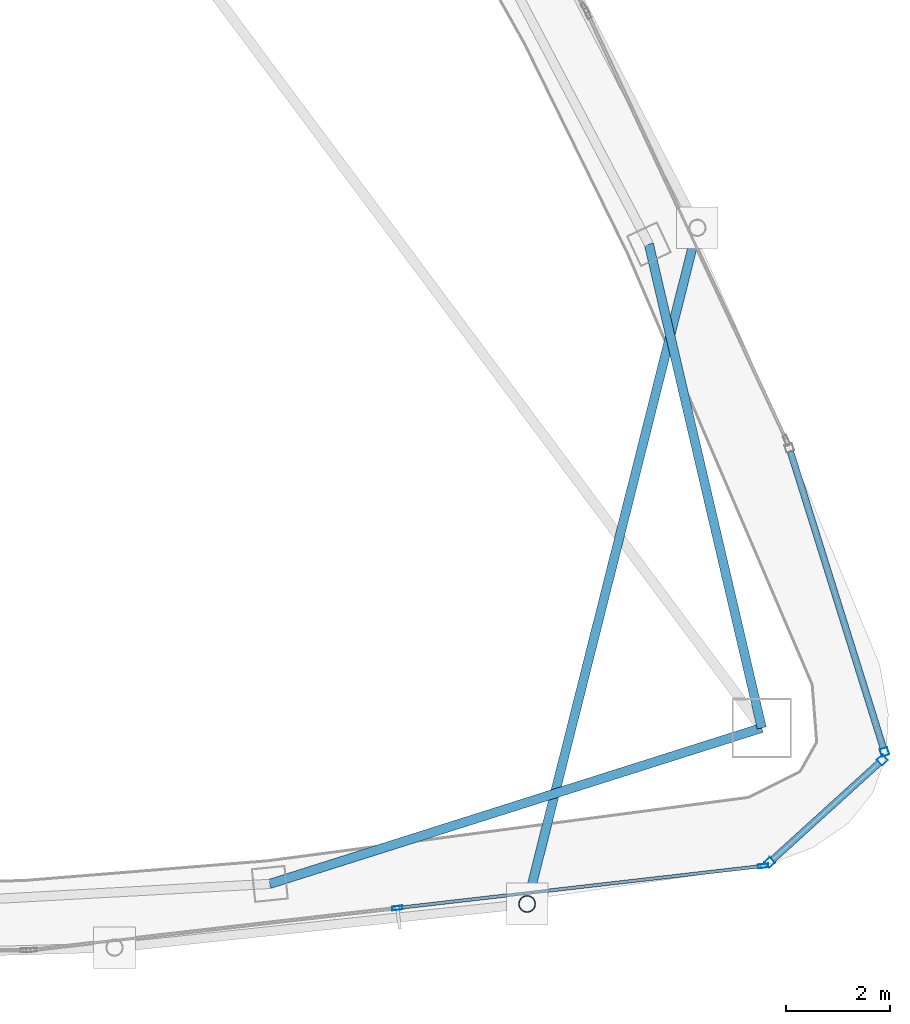
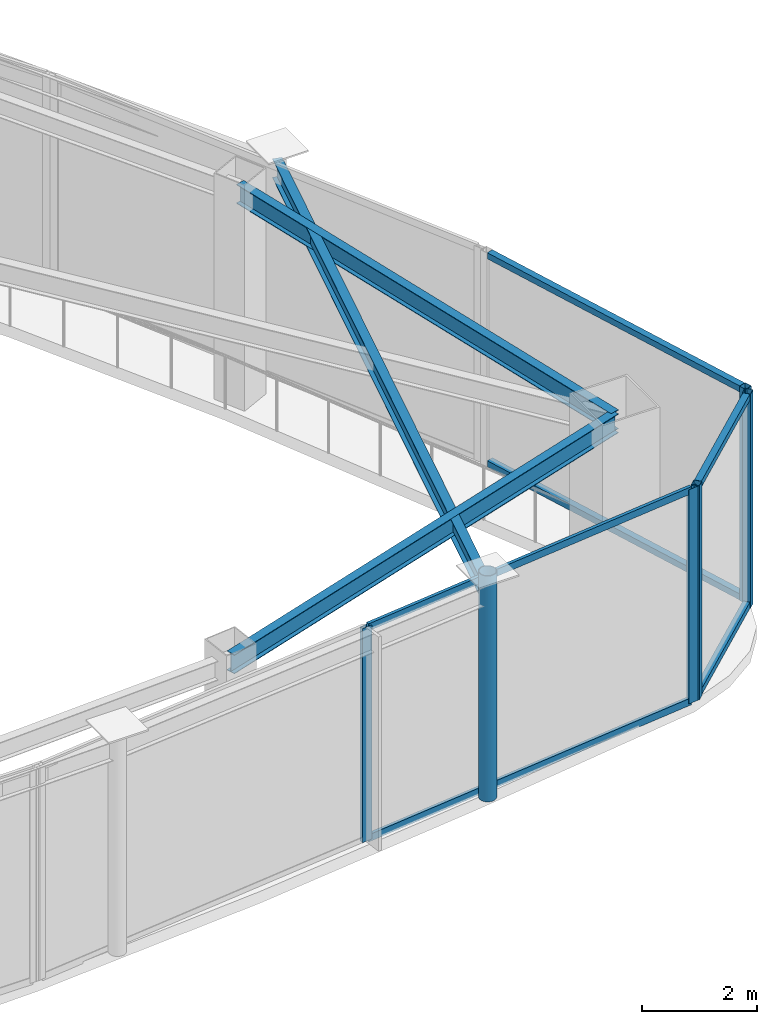
# One storey, part 11 of 19: 12 members, 3 beams, 3 elements without a shape of their own.
"""IFC4 building model written with IfcOpenShell, lengths in metres."""

from ifc_helpers import new_model, si_unit, direction, frame, origin, origin_2d, place, context, subcontext, project, spatial, hollow_rectangle, hollow_circle, i_section, extrude, material, layer, layer_set, material_profile, profile_set, type_object, element, aggregate, save


model = new_model("IFC4")

# Units and contexts
model_context = context("Model", 3, precision=1e-05, world=origin(), true_north=direction((0.0, 1.0)))
body_context = subcontext(model_context, "Body", "Model", "MODEL_VIEW")
ifc_project = project(units=[si_unit("LENGTHUNIT", "METRE"), si_unit("AREAUNIT", "SQUARE_METRE"), si_unit("VOLUMEUNIT", "CUBIC_METRE"), si_unit("PLANEANGLEUNIT", "RADIAN"), si_unit("MASSUNIT", "GRAM", prefix="KILO")], contexts=[model_context])

# Site, building, storey
site_placement = place(None, origin())
site = spatial("IfcSite", under=ifc_project, at=site_placement, CompositionType="ELEMENT")
building_placement = place(site_placement, origin())
building = spatial("IfcBuilding", under=site, at=building_placement, Name="Orvanel Arch Residences", CompositionType="ELEMENT")
storey_placement = place(building_placement, frame((0.0, 0.0, 290.89990234375)))
storey = spatial("IfcBuildingStorey", under=building, at=storey_placement, Name="L82", CompositionType="ELEMENT", Elevation=290.89990234375)

# Curtain wall, members
ifc_material_1 = material(Name="Bronze-anodised aluminium AA6063-T6", Category="aluminium")
ifc_layer = layer(ifc_material_1, 0.2099609375)
ifc_layer_set = layer_set([ifc_layer], Name="Bronze-anodised aluminium AA6063-T6")
curtain_wall_type = type_object("IfcCurtainWallType", Name="CW7-TOP-SYS", PredefinedType="NOTDEFINED", material=ifc_layer_set)
curtain_wall_1_placement = place(storey_placement, origin())
curtain_wall_1 = element("IfcCurtainWall", 1, at=curtain_wall_1_placement, inside=storey, type_object=curtain_wall_type, Name="L82 CW7-TOP-SYS Unitised Curtain Wall", PredefinedType="NOTDEFINED")
ifc_material_profile_1 = material_profile(ifc_material_1, hollow_rectangle(XDim=0.14990234375, YDim=0.14990234375, WallThickness=0.0048828125, at=origin_2d()), Name="ALU150x150x5")
ifc_profile_set_1 = profile_set([ifc_material_profile_1], Name="Bronze-anodised aluminium AA6063-T6")
member_type_1 = type_object("IfcMemberType", Name="MUL-150x150", PredefinedType="MULLION", material=ifc_profile_set_1)
member_1_placement = place(storey_placement, frame((51.95361328125, 7.76953125, 0.0), z_axis=(0.0, 0.0, 1.0), x_axis=(-0.672462257522, 0.740131415499, 0.0)))
member_1 = element("IfcMember", 2, at=member_1_placement, type_object=member_type_1, Name="CW-S7 mullion 1", PredefinedType="MULLION", context=body_context, shape_type="SweptSolid", body=[
    extrude(hollow_rectangle(XDim=0.14990234375, YDim=0.14990234375, WallThickness=0.0048828125, at=origin_2d()), origin(), (0.0, 0.0, 1.0), 4.550048828125),
])
member_2_placement = place(storey_placement, frame((54.117431640625, 9.735595703125, 0.0), z_axis=(0.0, 0.0, 1.0), x_axis=(-0.672462257522, 0.740131415499, 0.0)))
member_2 = element("IfcMember", 3, at=member_2_placement, type_object=member_type_1, Name="CW-S7 mullion 2", PredefinedType="MULLION", context=body_context, shape_type="SweptSolid", body=[
    extrude(hollow_rectangle(XDim=0.14990234375, YDim=0.14990234375, WallThickness=0.0048828125, at=origin_2d()), origin(), (0.0, 0.0, 1.0), 4.550048828125),
])

# Curtain wall, member
curtain_wall_2_placement = place(storey_placement, origin())
curtain_wall_2 = element("IfcCurtainWall", 4, at=curtain_wall_2_placement, inside=storey, type_object=curtain_wall_type, Name="L82 CW7-TOP-SYS Unitised Curtain Wall", PredefinedType="NOTDEFINED")
member_3_placement = place(storey_placement, frame((54.15966796875, 9.8896484375, 0.0), z_axis=(0.0, 0.0, 1.0), x_axis=(-0.954283945864, -0.298901573542, 0.0)))
member_3 = element("IfcMember", 5, at=member_3_placement, type_object=member_type_1, Name="CW-S7 mullion 1", PredefinedType="MULLION", context=body_context, shape_type="SweptSolid", body=[
    extrude(hollow_rectangle(XDim=0.14990234375, YDim=0.14990234375, WallThickness=0.0048828125, at=origin_2d()), origin(), (0.0, 0.0, 1.0), 4.550048828125),
])

# Curtain wall, members
curtain_wall_3_placement = place(storey_placement, origin())
curtain_wall_3 = element("IfcCurtainWall", 6, at=curtain_wall_3_placement, inside=storey, type_object=curtain_wall_type, Name="L82 CW7-TOP-SYS Unitised Curtain Wall", PredefinedType="NOTDEFINED")
ifc_material_profile_2 = material_profile(ifc_material_1, hollow_rectangle(XDim=0.074951171875, YDim=0.199951171875, WallThickness=0.0048828125, at=origin_2d()), Name="ALU200x75x5")
ifc_profile_set_2 = profile_set([ifc_material_profile_2], Name="Bronze-anodised aluminium AA6063-T6")
member_type_2 = type_object("IfcMemberType", Name="MUL-200x75", PredefinedType="MULLION", material=ifc_profile_set_2)
member_4_placement = place(storey_placement, frame((44.802001953125, 6.89208984375, 0.0), z_axis=(0.0, 0.0, 1.0), x_axis=(-0.11424494002, 0.9934526127, 0.0)))
member_4 = element("IfcMember", 7, at=member_4_placement, type_object=member_type_2, Name="CW-S7 mullion 2", PredefinedType="MULLION", context=body_context, shape_type="SweptSolid", body=[
    extrude(hollow_rectangle(XDim=0.074951171875, YDim=0.199951171875, WallThickness=0.0048828125, at=origin_2d()), origin(), (0.0, 0.0, 1.0), 4.550048828125),
])
member_5_placement = place(storey_placement, frame((51.82568359375, 7.69970703125, 0.0), z_axis=(0.0, 0.0, 1.0), x_axis=(-0.11424494002, 0.9934526127, 0.0)))
member_5 = element("IfcMember", 8, at=member_5_placement, type_object=member_type_2, Name="CW-S7 mullion 3", PredefinedType="MULLION", context=body_context, shape_type="SweptSolid", body=[
    extrude(hollow_rectangle(XDim=0.074951171875, YDim=0.199951171875, WallThickness=0.0048828125, at=origin_2d()), origin(), (0.0, 0.0, 1.0), 4.550048828125),
])

# Beams
ifc_material_2 = material(Name="Structural steel AS/NZS 3679.1 Grade 300 (300 MPa)", Category="steel")
ifc_material_profile_3 = material_profile(ifc_material_2, i_section(OverallWidth=0.177978515625, OverallDepth=0.406005859375, WebThickness=0.0078125, FlangeThickness=0.0126953125, at=origin_2d()), Name="410UB59.7")
ifc_profile_set_3 = profile_set([ifc_material_profile_3], Name="Structural steel AS/NZS 3679.1 Grade 300 (300 MPa)")
beam_type_1 = type_object("IfcBeamType", Name="OB-410UB", PredefinedType="SPANDREL", material=ifc_profile_set_3)
beam_1_placement = place(storey_placement, frame((42.35107421875, 7.35498046875, 4.34716796875), z_axis=(0.953237386592, 0.302222574941, 0.0), x_axis=(-0.302222574941, 0.953237386592, 0.0)))
element("IfcBeam", 9, at=beam_1_placement, inside=storey, type_object=beam_type_1, Name="L82 Perimeter Spandrel Beam 05", PredefinedType="SPANDREL", context=body_context, shape_type="SweptSolid", body=[
    extrude(i_section(OverallWidth=0.177978515625, OverallDepth=0.406005859375, WebThickness=0.0078125, FlangeThickness=0.0126953125, at=origin_2d()), origin(), (0.0, 0.0, 1.0), 9.91357421875),
])
beam_2_placement = place(storey_placement, frame((51.801025390625, 10.35107421875, 4.34716796875), z_axis=(-0.227236087167, 0.973839699688, 0.0), x_axis=(-0.973839699688, -0.227236087167, 0.0)))
element("IfcBeam", 10, at=beam_2_placement, inside=storey, type_object=beam_type_1, Name="L82 Perimeter Spandrel Beam 06", PredefinedType="SPANDREL", context=body_context, shape_type="SweptSolid", body=[
    extrude(i_section(OverallWidth=0.177978515625, OverallDepth=0.406005859375, WebThickness=0.0078125, FlangeThickness=0.0126953125, at=origin_2d()), origin(), (0.0, 0.0, 1.0), 9.54052734375),
])
ifc_material_profile_4 = material_profile(ifc_material_2, i_section(OverallWidth=0.177978515625, OverallDepth=0.406005859375, WebThickness=0.0078125, FlangeThickness=0.0126953125, at=origin_2d()), Name="410UB59.7")
ifc_profile_set_4 = profile_set([ifc_material_profile_4], Name="Structural steel AS/NZS 3679.1 Grade 300 (300 MPa)")
beam_type_2 = type_object("IfcBeamType", Name="OB-410UB-EXT", PredefinedType="SPANDREL", material=ifc_profile_set_4)
beam_3_placement = place(storey_placement, frame((47.29296875, 6.969970703125, 4.34716796875), z_axis=(0.244220827224, 0.969719643789, 0.0), x_axis=(-0.969719643789, 0.244220827224, 0.0)))
element("IfcBeam", 11, at=beam_3_placement, inside=storey, type_object=beam_type_2, Name="L82 Outer Perimeter Floor Ring Beam 08", PredefinedType="SPANDREL", context=body_context, shape_type="SweptSolid", body=[
    extrude(i_section(OverallWidth=0.177978515625, OverallDepth=0.406005859375, WebThickness=0.0078125, FlangeThickness=0.0126953125, at=origin_2d()), origin(), (0.0, 0.0, 1.0), 13.3935546875),
])

# Member
ifc_material_3 = material(Name="Structural steel AS/NZS 1163 C350L0 (Grade 350)", Category="steel")
ifc_material_profile_5 = material_profile(ifc_material_3, hollow_circle(Radius=0.162109375, WallThickness=0.0126953125, at=origin_2d()), Name="CHS324x12.7")
ifc_profile_set_5 = profile_set([ifc_material_profile_5], Name="Structural steel AS/NZS 1163 C350L0 (Grade 350)")
member_type_3 = type_object("IfcMemberType", Name="ST-324CHS-EXT", PredefinedType="STRUT", material=ifc_profile_set_5)
member_6_placement = place(storey_placement, frame((47.29296875, 6.969970703125, 0.0), z_axis=(0.0, 0.0, 1.0), x_axis=(1.0, 0.0, 0.0)))
element("IfcMember", 12, at=member_6_placement, inside=storey, type_object=member_type_3, Name="L82 Outer Perimeter Frame Post 08", PredefinedType="STRUT", context=body_context, shape_type="SweptSolid", body=[
    extrude(hollow_circle(Radius=0.162109375, WallThickness=0.0126953125, at=origin_2d()), origin(), (0.0, 0.0, 1.0), 4.800048828125),
])

ifc_material_profile_6 = material_profile(ifc_material_1, hollow_rectangle(XDim=0.1298828125, YDim=0.1298828125, WallThickness=0.00439453125, at=origin_2d()), Name="ALU130x130x4.5")
ifc_profile_set_6 = profile_set([ifc_material_profile_6], Name="Bronze-anodised aluminium AA6063-T6")
member_type_4 = type_object("IfcMemberType", Name="TRN-130x130", PredefinedType="USERDEFINED", material=ifc_profile_set_6)
member_7_placement = place(storey_placement, frame((52.009033203125, 7.81982421875, 0.065185546875), z_axis=(0.740139175593, 0.672453716439, 0.0), x_axis=(-0.672453716439, 0.740139175593, 0.0)))
member_7 = element("IfcMember", 13, at=member_7_placement, type_object=member_type_4, Name="CW-S7 transom 1.1", ObjectType="TRANSOM", PredefinedType="USERDEFINED", context=body_context, shape_type="SweptSolid", body=[
    extrude(hollow_rectangle(XDim=0.1298828125, YDim=0.1298828125, WallThickness=0.00439453125, at=origin_2d()), origin(), (0.0, 0.0, 1.0), 2.773681640625),
])

member_8_placement = place(storey_placement, frame((52.009033203125, 7.81982421875, 4.485107421875), z_axis=(0.740139175593, 0.672453716439, 0.0), x_axis=(-0.672453716439, 0.740139175593, 0.0)))
member_8 = element("IfcMember", 14, at=member_8_placement, type_object=member_type_4, Name="CW-S7 transom 1.2", ObjectType="TRANSOM", PredefinedType="USERDEFINED", context=body_context, shape_type="SweptSolid", body=[
    extrude(hollow_rectangle(XDim=0.1298828125, YDim=0.1298828125, WallThickness=0.00439453125, at=origin_2d()), origin(), (0.0, 0.0, 1.0), 2.773681640625),
])

aggregate(curtain_wall_1, [member_1, member_2, member_7, member_8])

member_9_placement = place(storey_placement, frame((54.13720703125, 9.961181640625, 0.065185546875), z_axis=(-0.298912971075, 0.954280375845, 0.0), x_axis=(-0.954280375845, -0.298912971075, 0.0)))
member_9 = element("IfcMember", 15, at=member_9_placement, type_object=member_type_4, Name="CW-S7 transom 1.1", ObjectType="TRANSOM", PredefinedType="USERDEFINED", context=body_context, shape_type="SweptSolid", body=[
    extrude(hollow_rectangle(XDim=0.1298828125, YDim=0.1298828125, WallThickness=0.00439453125, at=origin_2d()), origin(), (0.0, 0.0, 1.0), 5.9697265625),
])

member_10_placement = place(storey_placement, frame((54.13720703125, 9.961181640625, 4.485107421875), z_axis=(-0.298912971075, 0.954280375845, 0.0), x_axis=(-0.954280375845, -0.298912971075, 0.0)))
member_10 = element("IfcMember", 16, at=member_10_placement, type_object=member_type_4, Name="CW-S7 transom 1.2", ObjectType="TRANSOM", PredefinedType="USERDEFINED", context=body_context, shape_type="SweptSolid", body=[
    extrude(hollow_rectangle(XDim=0.1298828125, YDim=0.1298828125, WallThickness=0.00439453125, at=origin_2d()), origin(), (0.0, 0.0, 1.0), 5.9697265625),
])

aggregate(curtain_wall_2, [member_3, member_9, member_10])

ifc_material_profile_7 = material_profile(ifc_material_1, hollow_rectangle(XDim=0.06494140625, YDim=0.14990234375, WallThickness=0.00390625, at=origin_2d()), Name="ALU150x65x4")
ifc_profile_set_7 = profile_set([ifc_material_profile_7], Name="Bronze-anodised aluminium AA6063-T6")
member_type_5 = type_object("IfcMemberType", Name="TRN-150x65", PredefinedType="USERDEFINED", material=ifc_profile_set_7)
member_11_placement = place(storey_placement, frame((44.83935546875, 6.896240234375, 0.03271484375), z_axis=(0.993453799179, 0.114234622144, 0.0), x_axis=(-0.114234622144, 0.993453799179, 0.0)))
member_11 = element("IfcMember", 17, at=member_11_placement, type_object=member_type_5, Name="CW-S7 transom 2.1", ObjectType="TRANSOM", PredefinedType="USERDEFINED", context=body_context, shape_type="SweptSolid", body=[
    extrude(hollow_rectangle(XDim=0.06494140625, YDim=0.14990234375, WallThickness=0.00390625, at=origin_2d()), origin(), (0.0, 0.0, 1.0), 6.9951171875),
])

member_12_placement = place(storey_placement, frame((44.83935546875, 6.896240234375, 4.517578125), z_axis=(0.993453799179, 0.114234622144, 0.0), x_axis=(-0.114234622144, 0.993453799179, 0.0)))
member_12 = element("IfcMember", 18, at=member_12_placement, type_object=member_type_5, Name="CW-S7 transom 2.2", ObjectType="TRANSOM", PredefinedType="USERDEFINED", context=body_context, shape_type="SweptSolid", body=[
    extrude(hollow_rectangle(XDim=0.06494140625, YDim=0.14990234375, WallThickness=0.00390625, at=origin_2d()), origin(), (0.0, 0.0, 1.0), 6.9951171875),
])

aggregate(curtain_wall_3, [member_4, member_5, member_11, member_12])

save(model, "model.ifc")
